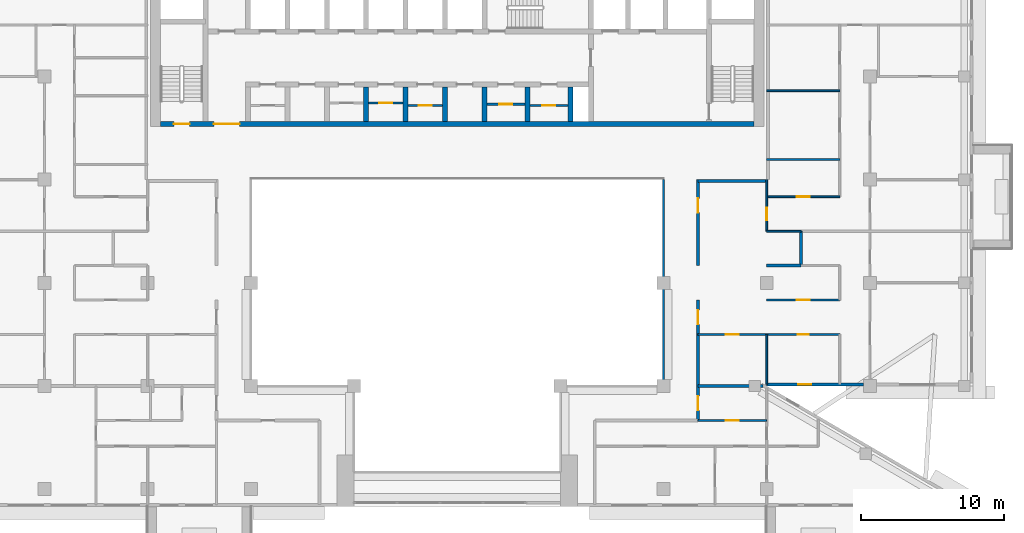
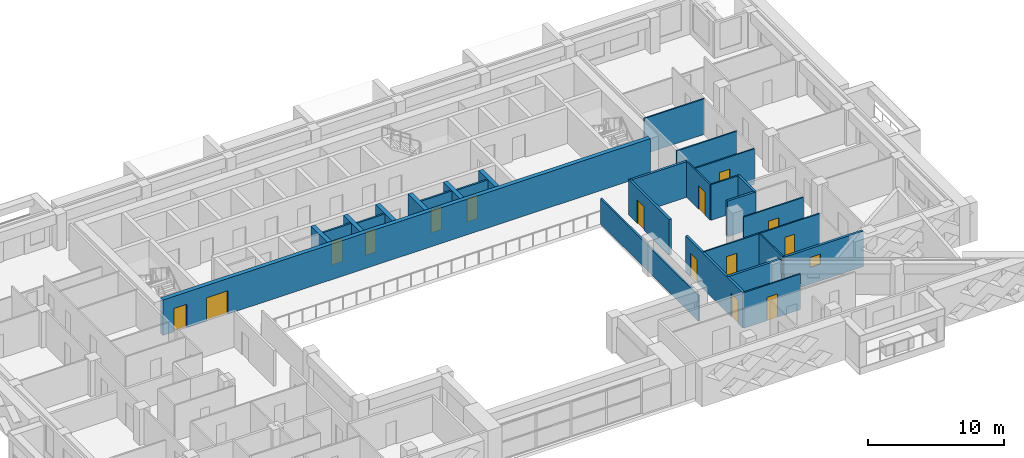
# One storey, part 9 of 20: 28 walls, 15 doors, 1 window, 16 openings.
"""IFC4 building model written with IfcOpenShell, lengths in metres."""

import ifcopenshell
import ifcopenshell.guid

model = None  # the IFC model being written
_history = None  # IfcOwnerHistory: only IFC2X3 demands one
_inside = {}  # id of a spatial element -> (the spatial element, [elements in it])
_under = {}  # id of a project, library or spatial element -> (it, [spatial elements below it])
_declared = {}  # id of a project -> (the project, [libraries it declares])
_typed = {}  # id of a type object -> (the type object, [elements of that type])
_made_of = {}  # id of a material, layer set ... -> (it, [elements and type objects made of it])


def new_model(schema):
    """Start an empty IFC model of exactly this schema.

    Asked for "IFC4X3", IfcOpenShell would pick the latest addendum, in which some entities
    have other attributes; the version numbers below select the first issue.
    IFC2X3 requires an IfcOwnerHistory on every rooted entity: one is made here for all.
    """
    global model, _history
    if schema == "IFC4X3":
        model = ifcopenshell.file(schema_version=(4, 3, 0, 0))
    else:
        model = ifcopenshell.file(schema=schema)
    _inside.clear()
    _under.clear()
    _declared.clear()
    _typed.clear()
    _made_of.clear()
    _history = None
    if model.schema == "IFC2X3":
        org = make("IfcOrganization", Name="unknown")
        user = make(
            "IfcPersonAndOrganization",
            ThePerson=make("IfcPerson", FamilyName="unknown"),
            TheOrganization=org,
        )
        app = make(
            "IfcApplication",
            ApplicationDeveloper=org,
            Version="unknown",
            ApplicationFullName="unknown",
            ApplicationIdentifier="unknown",
        )
        _history = make(
            "IfcOwnerHistory",
            OwningUser=user,
            OwningApplication=app,
            ChangeAction="ADDED",
            CreationDate=0,
        )
    return model


def make(cls, **values):
    """One entity of the class cls with the attributes given. An attribute that is None is left unset."""
    return model.create_entity(
        cls, **{name: value for name, value in values.items() if value is not None}
    )


def rooted(cls, **values):
    """An entity with a GlobalId (a new one), such as an element, a storey or a relation."""
    return make(cls, GlobalId=ifcopenshell.guid.new(), OwnerHistory=_history, **values)


def si_unit(unit_type, name, prefix=None):
    """IfcSIUnit, for example si_unit("LENGTHUNIT", "METRE", prefix="MILLI")."""
    return make("IfcSIUnit", UnitType=unit_type, Prefix=prefix, Name=name)


def assignment(units):
    """IfcUnitAssignment: the units of a project."""
    return None if units is None else make("IfcUnitAssignment", Units=units)


def point(xyz):
    """IfcCartesianPoint."""
    return None if xyz is None else make("IfcCartesianPoint", Coordinates=xyz)


def direction(xyz):
    """IfcDirection."""
    return None if xyz is None else make("IfcDirection", DirectionRatios=xyz)


def frame(location, z_axis=None, x_axis=None):
    """IfcAxis2Placement3D, a coordinate frame: its origin and axes. An axis left out is left unset."""
    return make(
        "IfcAxis2Placement3D",
        Location=point(location),
        Axis=direction(z_axis),
        RefDirection=direction(x_axis),
    )


def frame_2d(location, x_axis=None):
    """IfcAxis2Placement2D, a coordinate frame in the plane: its origin and x axis."""
    return make(
        "IfcAxis2Placement2D", Location=point(location), RefDirection=direction(x_axis)
    )


def origin():
    """The frame at (0, 0, 0) with its axes left unset."""
    return frame((0.0, 0.0, 0.0))


def place(relative_to, where):
    """IfcLocalPlacement: puts the frame where relative to a parent placement (None: the world)."""
    return make(
        "IfcLocalPlacement", PlacementRelTo=relative_to, RelativePlacement=where
    )


def context(
    kind, dimensions, precision=None, world=None, true_north=None, identifier=None
):
    """IfcGeometricRepresentationContext, for example the 3D "Model" context."""
    return make(
        "IfcGeometricRepresentationContext",
        ContextIdentifier=identifier,
        ContextType=kind,
        CoordinateSpaceDimension=dimensions,
        Precision=precision,
        WorldCoordinateSystem=world,
        TrueNorth=true_north,
    )


def subcontext(parent, identifier, kind, view, scale=None):
    """IfcGeometricRepresentationSubContext, for example "Body" below "Model"."""
    return make(
        "IfcGeometricRepresentationSubContext",
        ContextIdentifier=identifier,
        ContextType=kind,
        ParentContext=parent,
        TargetScale=scale,
        TargetView=view,
    )


def project(units=None, contexts=None):
    """IfcProject with its units and contexts."""
    return rooted(
        "IfcProject",
        Name="project",
        RepresentationContexts=contexts,
        UnitsInContext=assignment(units),
    )


def spatial(cls, under=None, at=None, **own):
    """A site, building, storey or space (cls), placed at a placement, below another one or the project."""
    s = rooted(cls, ObjectPlacement=at, **own)
    if under is not None:
        _under.setdefault(under.id(), (under, []))[1].append(s)
    return s


def profile(cls, at=None, kind="AREA", **sizes):
    """A parametric profile (cls). Its sizes go by their IFC names, for example OverallWidth=200.0."""
    return make(cls, ProfileType=kind, Position=at, **sizes)


def rectangle(**sizes):
    """IfcRectangleProfileDef."""
    return profile("IfcRectangleProfileDef", **sizes)


def extrude(swept, where, along, depth):
    """IfcExtrudedAreaSolid: the profile swept, set in the frame where, extruded along a direction by depth."""
    return make(
        "IfcExtrudedAreaSolid",
        SweptArea=swept,
        Position=where,
        ExtrudedDirection=direction(along),
        Depth=depth,
    )


def shape(context_of_items, identifier, shape_type, items):
    """IfcShapeRepresentation: the items that make up one representation, for example the "Body"."""
    return make(
        "IfcShapeRepresentation",
        ContextOfItems=context_of_items,
        RepresentationIdentifier=identifier,
        RepresentationType=shape_type,
        Items=items,
    )


def material(Name=None, Category=None):
    """IfcMaterial."""
    return make("IfcMaterial", Name=Name, Category=Category)


def layer(
    of_material, thickness, ventilated=None, Name=None, Category=None, Priority=None
):
    """IfcMaterialLayer: one layer of a wall or slab, of a material (None: an air gap)."""
    return make(
        "IfcMaterialLayer",
        Material=of_material,
        LayerThickness=thickness,
        IsVentilated=ventilated,
        Name=Name,
        Category=Category,
        Priority=Priority,
    )


def layer_set(layers, Name=None):
    """IfcMaterialLayerSet."""
    return make("IfcMaterialLayerSet", MaterialLayers=layers, LayerSetName=Name)


def made_of(thing, what):
    """Note that an element or type object is made of a material, layer set ...; save() writes the relation."""
    if what is not None:
        _made_of.setdefault(what.id(), (what, []))[1].append(thing)
    return thing


def type_object(cls, material=None, **own):
    """A type object (cls), such as IfcWallType, which elements share."""
    return made_of(rooted(cls, **own), material)


def element(
    cls,
    number,
    at=None,
    inside=None,
    cuts=None,
    type_object=None,
    material=None,
    context=None,
    identifier="Body",
    shape_type=None,
    held_by="IfcProductDefinitionShape",
    body=None,
    shapes=None,
    **own,
):
    """One element of the class cls, such as IfcWall. Its Tag is "e" and its number.

    at: its placement. inside: the storey or other place that contains it. cuts: it is an
    opening in that element (IfcRelVoidsElement). A single representation is given by context,
    identifier, shape_type and body (its items); several are given by shapes. held_by: the class
    of the entity that holds the representations. save() writes the other relations.
    """
    e = rooted(cls, Tag="e%d" % number, ObjectPlacement=at, **own)
    if body is not None:
        shapes = [shape(context, identifier, shape_type, body)]
    if shapes is not None:
        e.Representation = make(held_by, Representations=shapes)
    if inside is not None:
        _inside.setdefault(inside.id(), (inside, []))[1].append(e)
    if cuts is not None:
        rooted(
            "IfcRelVoidsElement", RelatingBuildingElement=cuts, RelatedOpeningElement=e
        )
    if type_object is not None:
        _typed.setdefault(type_object.id(), (type_object, []))[1].append(e)
    return made_of(e, material)


def fill(opening, filler):
    """IfcRelFillsElement: the door or window that sits in an opening."""
    return rooted(
        "IfcRelFillsElement",
        RelatingOpeningElement=opening,
        RelatedBuildingElement=filler,
    )


def aggregate(whole, parts):
    """IfcRelAggregates: a whole, such as a stair, and the parts it consists of."""
    return rooted("IfcRelAggregates", RelatingObject=whole, RelatedObjects=parts)


def save(model, path):
    """Write the relations noted so far, then the file.

    IfcRelAggregates (storeys below a building ...), IfcRelContainedInSpatialStructure (elements
    in a storey), IfcRelDefinesByType, IfcRelAssociatesMaterial and IfcRelDeclares: one each for
    every whole, place, type object, material and project.
    """
    for whole, parts in _under.values():
        aggregate(whole, parts)
    for where, things in _inside.values():
        rooted(
            "IfcRelContainedInSpatialStructure",
            RelatedElements=things,
            RelatingStructure=where,
        )
    for kind, things in _typed.values():
        rooted("IfcRelDefinesByType", RelatedObjects=things, RelatingType=kind)
    for what, things in _made_of.values():
        rooted("IfcRelAssociatesMaterial", RelatedObjects=things, RelatingMaterial=what)
    for by, libraries in _declared.values():
        rooted("IfcRelDeclares", RelatingContext=by, RelatedDefinitions=libraries)
    model.write(path)


model = new_model("IFC4")

# Units and contexts
model_context = context("Model", 3, precision=1e-05, world=origin(), true_north=direction((0.0, 1.0)))
body_context = subcontext(model_context, "Body", "Model", "MODEL_VIEW")
ifc_project = project(units=[si_unit("LENGTHUNIT", "METRE"), si_unit("AREAUNIT", "SQUARE_METRE"), si_unit("VOLUMEUNIT", "CUBIC_METRE"), si_unit("PLANEANGLEUNIT", "RADIAN"), si_unit("MASSUNIT", "GRAM", prefix="KILO")], contexts=[model_context])

# Site, building, storey
site_placement = place(None, origin())
site = spatial("IfcSite", under=ifc_project, at=site_placement, CompositionType="ELEMENT")
building_placement = place(site_placement, origin())
building = spatial("IfcBuilding", under=site, at=building_placement, Name="Saffron Iwan Residences", CompositionType="ELEMENT")
storey_placement = place(building_placement, frame((0.0, 0.0, 178.0)))
storey = spatial("IfcBuildingStorey", under=building, at=storey_placement, Name="L47", CompositionType="ELEMENT", Elevation=178.0)

# Wall
ifc_material_1 = material(Name="Fire-rated glazing", Category="glass")
ifc_layer_1 = layer(ifc_material_1, 0.14990234375)
ifc_layer_set_1 = layer_set([ifc_layer_1], Name="Fire-rated glazing")
wall_type_1 = type_object("IfcWallType", Name="Atrium glazed screen 150", PredefinedType="SOLIDWALL", material=ifc_layer_set_1)
wall_1_placement = place(storey_placement, frame((64.800048828125, 48.0, 0.0), z_axis=(0.0, 0.0, 1.0), x_axis=(0.0, 1.0, 0.0)))
element("IfcWall", 1, at=wall_1_placement, inside=storey, type_object=wall_type_1, Name="W-L47-SCREEN-v64.8-48", PredefinedType="SOLIDWALL", context=body_context, shape_type="SweptSolid", body=[
    extrude(rectangle(XDim=14.39990234375, YDim=0.14990234375, at=frame_2d((7.199951171875, 0.0))), origin(), (0.0, 0.0, 1.0), 2.300048828125),
])

# Wall, opening, door
ifc_material_2 = material(Name="Fire-rated plasterboard partition")
ifc_layer_2 = layer(ifc_material_2, 0.14990234375)
ifc_layer_set_2 = layer_set([ifc_layer_2], Name="Fire-rated plasterboard partition")
wall_type_2 = type_object("IfcWallType", Name="Core partition 150", PredefinedType="PARTITIONING", material=ifc_layer_set_2)
wall_2_placement = place(storey_placement, frame((44.22509765625, 67.759521484375, 0.0), z_axis=(0.0, 0.0, 1.0), x_axis=(1.0, 0.0, 0.0)))
wall_2 = element("IfcWall", 2, at=wall_2_placement, inside=storey, type_object=wall_type_2, Name="Core partition P03", PredefinedType="PARTITIONING", context=body_context, shape_type="SweptSolid", body=[
    extrude(rectangle(XDim=2.39990234375, YDim=0.14990234375, at=frame_2d((1.199951171875, 0.0))), origin(), (0.0, 0.0, 1.0), 3.199951171875),
])
opening_1_placement = place(wall_2_placement, frame((0.75, 0.0, 0.0)))
opening_1 = element("IfcOpeningElement", 3, at=opening_1_placement, cuts=wall_2, Name="Opening SB", PredefinedType="OPENING", context=body_context, shape_type="SweptSolid", body=[
    extrude(rectangle(XDim=0.89990234375, YDim=2.10009765625, at=frame_2d((0.449951171875, 1.050048828125))), frame((0.0, 0.0849609375, 0.0), z_axis=(0.0, -1.0, 0.0), x_axis=(1.0, 0.0, 0.0)), (0.0, 0.0, 1.0), 0.169921875),
])
ifc_material_3 = material(Name="Steel fire door", Category="steel")
door_type_1 = type_object("IfcDoorType", Name="Store door 900", OperationType="NOTDEFINED", PredefinedType="DOOR", material=ifc_material_3)
door_1_placement = place(opening_1_placement, origin())
door_1 = element("IfcDoor", 4, at=door_1_placement, inside=storey, type_object=door_type_1, Name="Door Battery room", OperationType="SINGLE_SWING_RIGHT", OverallHeight=2.10009765625, OverallWidth=0.89990234375, PredefinedType="DOOR", context=body_context, shape_type="SweptSolid", body=[
    extrude(rectangle(XDim=0.89990234375, YDim=2.10009765625, at=frame_2d((0.449951171875, 1.050048828125))), frame((0.0, 0.02490234375, 0.0), z_axis=(0.0, -1.0, 0.0), x_axis=(1.0, 0.0, 0.0)), (0.0, 0.0, 1.0), 0.050048828125),
])
fill(opening_1, door_1)

wall_3_placement = place(storey_placement, frame((46.97509765625, 67.5654296875, 0.0), z_axis=(0.0, 0.0, 1.0), x_axis=(1.0, 0.0, 0.0)))
wall_3 = element("IfcWall", 5, at=wall_3_placement, inside=storey, type_object=wall_type_2, Name="Core partition P04", PredefinedType="PARTITIONING", context=body_context, shape_type="SweptSolid", body=[
    extrude(rectangle(XDim=2.39990234375, YDim=0.14990234375, at=frame_2d((1.199951171875, 0.0))), origin(), (0.0, 0.0, 1.0), 3.199951171875),
])
opening_2_placement = place(wall_3_placement, frame((0.75, 0.0, 0.0)))
opening_2 = element("IfcOpeningElement", 6, at=opening_2_placement, cuts=wall_3, Name="Opening SB", PredefinedType="OPENING", context=body_context, shape_type="SweptSolid", body=[
    extrude(rectangle(XDim=0.89990234375, YDim=2.10009765625, at=frame_2d((0.449951171875, 1.050048828125))), frame((0.0, 0.0849609375, 0.0), z_axis=(0.0, -1.0, 0.0), x_axis=(1.0, 0.0, 0.0)), (0.0, 0.0, 1.0), 0.169921875),
])
door_2_placement = place(opening_2_placement, origin())
door_2 = element("IfcDoor", 7, at=door_2_placement, inside=storey, type_object=door_type_1, Name="Door Records store", OperationType="SINGLE_SWING_RIGHT", OverallHeight=2.10009765625, OverallWidth=0.89990234375, PredefinedType="DOOR", context=body_context, shape_type="SweptSolid", body=[
    extrude(rectangle(XDim=0.89990234375, YDim=2.10009765625, at=frame_2d((0.449951171875, 1.050048828125))), frame((0.0, 0.02490234375, 0.0), z_axis=(0.0, -1.0, 0.0), x_axis=(1.0, 0.0, 0.0)), (0.0, 0.0, 1.0), 0.050048828125),
])
fill(opening_2, door_2)

wall_4_placement = place(storey_placement, frame((52.47509765625, 67.66259765625, 0.0), z_axis=(0.0, 0.0, 1.0), x_axis=(1.0, 0.0, 0.0)))
wall_4 = element("IfcWall", 8, at=wall_4_placement, inside=storey, type_object=wall_type_2, Name="Core partition P05", PredefinedType="PARTITIONING", context=body_context, shape_type="SweptSolid", body=[
    extrude(rectangle(XDim=2.64990234375, YDim=0.14990234375, at=frame_2d((1.324951171875, 0.0))), origin(), (0.0, 0.0, 1.0), 3.199951171875),
])
opening_3_placement = place(wall_4_placement, frame((0.875, 0.0, 0.0)))
opening_3 = element("IfcOpeningElement", 9, at=opening_3_placement, cuts=wall_4, Name="Opening SB", PredefinedType="OPENING", context=body_context, shape_type="SweptSolid", body=[
    extrude(rectangle(XDim=0.89990234375, YDim=2.10009765625, at=frame_2d((0.449951171875, 1.050048828125))), frame((0.0, 0.0849609375, 0.0), z_axis=(0.0, -1.0, 0.0), x_axis=(1.0, 0.0, 0.0)), (0.0, 0.0, 1.0), 0.169921875),
])
door_3_placement = place(opening_3_placement, origin())
door_3 = element("IfcDoor", 10, at=door_3_placement, inside=storey, type_object=door_type_1, Name="Door Mop store", OperationType="SINGLE_SWING_LEFT", OverallHeight=2.10009765625, OverallWidth=0.89990234375, PredefinedType="DOOR", context=body_context, shape_type="SweptSolid", body=[
    extrude(rectangle(XDim=0.89990234375, YDim=2.10009765625, at=frame_2d((0.449951171875, 1.050048828125))), frame((0.0, 0.02490234375, 0.0), z_axis=(0.0, -1.0, 0.0), x_axis=(1.0, 0.0, 0.0)), (0.0, 0.0, 1.0), 0.050048828125),
])
fill(opening_3, door_3)

wall_5_placement = place(storey_placement, frame((55.47509765625, 67.5654296875, 0.0), z_axis=(0.0, 0.0, 1.0), x_axis=(1.0, 0.0, 0.0)))
wall_5 = element("IfcWall", 11, at=wall_5_placement, inside=storey, type_object=wall_type_2, Name="Core partition P06", PredefinedType="PARTITIONING", context=body_context, shape_type="SweptSolid", body=[
    extrude(rectangle(XDim=2.64990234375, YDim=0.14990234375, at=frame_2d((1.324951171875, 0.0))), origin(), (0.0, 0.0, 1.0), 3.199951171875),
])
opening_4_placement = place(wall_5_placement, frame((0.875, 0.0, 0.0)))
opening_4 = element("IfcOpeningElement", 12, at=opening_4_placement, cuts=wall_5, Name="Opening SB", PredefinedType="OPENING", context=body_context, shape_type="SweptSolid", body=[
    extrude(rectangle(XDim=0.89990234375, YDim=2.10009765625, at=frame_2d((0.449951171875, 1.050048828125))), frame((0.0, 0.0849609375, 0.0), z_axis=(0.0, -1.0, 0.0), x_axis=(1.0, 0.0, 0.0)), (0.0, 0.0, 1.0), 0.169921875),
])
door_4_placement = place(opening_4_placement, origin())
door_4 = element("IfcDoor", 13, at=door_4_placement, inside=storey, type_object=door_type_1, Name="Door Spares store", OperationType="SINGLE_SWING_RIGHT", OverallHeight=2.10009765625, OverallWidth=0.89990234375, PredefinedType="DOOR", context=body_context, shape_type="SweptSolid", body=[
    extrude(rectangle(XDim=0.89990234375, YDim=2.10009765625, at=frame_2d((0.449951171875, 1.050048828125))), frame((0.0, 0.02490234375, 0.0), z_axis=(0.0, -1.0, 0.0), x_axis=(1.0, 0.0, 0.0)), (0.0, 0.0, 1.0), 0.050048828125),
])
fill(opening_4, door_4)

# Wall, opening, window
ifc_material_4 = material(Name="Concrete C40/50", Category="concrete")
ifc_layer_3 = layer(ifc_material_4, 0.199951171875)
ifc_layer_set_3 = layer_set([ifc_layer_3], Name="Concrete C40/50")
wall_type_3 = type_object("IfcWallType", Name="EXTERNAL WALL 200", PredefinedType="SOLIDWALL", material=ifc_layer_set_3)
wall_6_placement = place(storey_placement, frame((71.989990234375, 48.10009765625, 0.0), z_axis=(0.0, 0.0, 1.0), x_axis=(1.0, 0.0, 0.0)))
wall_6 = element("IfcWall", 14, at=wall_6_placement, inside=storey, type_object=wall_type_3, Name="External wall L47 F1.0", PredefinedType="SOLIDWALL", context=body_context, shape_type="SweptSolid", body=[
    extrude(rectangle(XDim=6.760009765625, YDim=0.199951171875, at=frame_2d((3.3798828125, 0.0))), origin(), (0.0, 0.0, 1.0), 3.199951171875),
])
opening_5_placement = place(wall_6_placement, frame((2.204833984375, 0.0, 1.5)))
opening_5 = element("IfcOpeningElement", 15, at=opening_5_placement, cuts=wall_6, Name="Opening W6", PredefinedType="OPENING", context=body_context, shape_type="SweptSolid", body=[
    extrude(rectangle(XDim=0.89990234375, YDim=0.89990234375, at=frame_2d((0.449951171875, 0.449951171875))), frame((0.0, 0.10986328125, 0.0), z_axis=(0.0, -1.0, 0.0), x_axis=(1.0, 0.0, 0.0)), (0.0, 0.0, 1.0), 0.219970703125),
])
ifc_material_5 = material(Name="Clear glass, laminated double glazed", Category="glass")
window_type = type_object("IfcWindowType", Name="WINDOW 900 x 900 BATH", PartitioningType="SINGLE_PANEL", PredefinedType="WINDOW", material=ifc_material_5)
window_placement = place(opening_5_placement, origin())
window = element("IfcWindow", 16, at=window_placement, inside=storey, type_object=window_type, Name="Window L47 F1.0", OverallHeight=0.89990234375, OverallWidth=0.89990234375, PartitioningType="SINGLE_PANEL", PredefinedType="WINDOW", context=body_context, shape_type="SweptSolid", body=[
    extrude(rectangle(XDim=0.89990234375, YDim=0.89990234375, at=frame_2d((0.449951171875, 0.449951171875))), frame((0.0, 0.030029296875, 0.0), z_axis=(0.0, -1.0, 0.0), x_axis=(1.0, 0.0, 0.0)), (0.0, 0.0, 1.0), 0.06005859375),
])
fill(opening_5, window)

# Walls
ifc_material_6 = material(Name="Fire-rated gypsum board wall")
ifc_layer_4 = layer(ifc_material_6, 0.199951171875)
ifc_layer_set_4 = layer_set([ifc_layer_4], Name="Fire-rated gypsum board wall")
wall_type_4 = type_object("IfcWallType", Name="Flat demising wall 200", PredefinedType="SOLIDWALL", material=ifc_layer_set_4)
wall_7_placement = place(storey_placement, frame((67.199951171875, 48.0, 0.0), z_axis=(0.0, 0.0, 1.0), x_axis=(1.0, 0.0, 0.0)))
element("IfcWall", 17, at=wall_7_placement, inside=storey, type_object=wall_type_4, Name="W-L47-DEMISE-h48-67.2", PredefinedType="SOLIDWALL", context=body_context, shape_type="SweptSolid", body=[
    extrude(rectangle(XDim=4.552001953125, YDim=0.199951171875, at=frame_2d((2.27587890625, 0.0))), origin(), (0.0, 0.0, 1.0), 3.199951171875),
])
wall_8_placement = place(storey_placement, frame((72.0, 56.39990234375, 0.0), z_axis=(0.0, 0.0, 1.0), x_axis=(1.0, 0.0, 0.0)))
element("IfcWall", 18, at=wall_8_placement, inside=storey, type_object=wall_type_4, Name="W-L47-DEMISE-h56.4-72", PredefinedType="SOLIDWALL", context=body_context, shape_type="SweptSolid", body=[
    extrude(rectangle(XDim=2.39990234375, YDim=0.199951171875, at=frame_2d((1.199951171875, 0.0))), origin(), (0.0, 0.0, 1.0), 3.199951171875),
])
wall_9_placement = place(storey_placement, frame((74.39990234375, 56.39990234375, 0.0), z_axis=(0.0, 0.0, 1.0), x_axis=(0.0, 1.0, 0.0)))
element("IfcWall", 19, at=wall_9_placement, inside=storey, type_object=wall_type_4, Name="W-L47-DEMISE-v74.4-56.4", PredefinedType="SOLIDWALL", context=body_context, shape_type="SweptSolid", body=[
    extrude(rectangle(XDim=2.400146484375, YDim=0.199951171875, at=frame_2d((1.2001953125, 0.0))), origin(), (0.0, 0.0, 1.0), 3.199951171875),
])

# Wall, opening, door
ifc_material_7 = material(Name="Gypsum board partition")
ifc_layer_5 = layer(ifc_material_7, 0.1201171875)
ifc_layer_set_5 = layer_set([ifc_layer_5], Name="Gypsum board partition")
wall_type_5 = type_object("IfcWallType", Name="Flat partition 120", PredefinedType="PARTITIONING", material=ifc_layer_set_5)
wall_10_placement = place(storey_placement, frame((67.199951171875, 45.60009765625, 0.0), z_axis=(0.0, 0.0, 1.0), x_axis=(1.0, 0.0, 0.0)))
wall_10 = element("IfcWall", 20, at=wall_10_placement, inside=storey, type_object=wall_type_5, Name="W-L47-PART-h45.6-67.2", PredefinedType="PARTITIONING", context=body_context, shape_type="SweptSolid", body=[
    extrude(rectangle(XDim=4.800048828125, YDim=0.1201171875, at=frame_2d((2.39990234375, 0.0))), origin(), (0.0, 0.0, 1.0), 3.199951171875),
])
opening_6_placement = place(wall_10_placement, frame((1.949951171875, 0.0, 0.0)))
opening_6 = element("IfcOpeningElement", 21, at=opening_6_placement, cuts=wall_10, Name="Opening FD2", PredefinedType="OPENING", context=body_context, shape_type="SweptSolid", body=[
    extrude(rectangle(XDim=0.89990234375, YDim=2.10009765625, at=frame_2d((0.449951171875, 1.050048828125))), frame((0.0, 0.070068359375, 0.0), z_axis=(0.0, -1.0, 0.0), x_axis=(1.0, 0.0, 0.0)), (0.0, 0.0, 1.0), 0.14013671875),
])
ifc_material_8 = material(Name="Timber door", Category="wood")
door_type_2 = type_object("IfcDoorType", Name="Flat door 900", OperationType="NOTDEFINED", PredefinedType="DOOR", material=ifc_material_8)
door_5_placement = place(opening_6_placement, origin())
door_5 = element("IfcDoor", 22, at=door_5_placement, inside=storey, type_object=door_type_2, Name="Door L47-040", OperationType="SINGLE_SWING_LEFT", OverallHeight=2.10009765625, OverallWidth=0.89990234375, PredefinedType="DOOR", context=body_context, shape_type="SweptSolid", body=[
    extrude(rectangle(XDim=0.89990234375, YDim=2.10009765625, at=frame_2d((0.449951171875, 1.050048828125))), frame((0.0, 0.02490234375, 0.0), z_axis=(0.0, -1.0, 0.0), x_axis=(1.0, 0.0, 0.0)), (0.0, 0.0, 1.0), 0.050048828125),
])
fill(opening_6, door_5)

# Wall, openings, doors
wall_11_placement = place(storey_placement, frame((67.199951171875, 51.60009765625, 0.0), z_axis=(0.0, 0.0, 1.0), x_axis=(1.0, 0.0, 0.0)))
wall_11 = element("IfcWall", 23, at=wall_11_placement, inside=storey, type_object=wall_type_5, Name="W-L47-PART-h51.6-67.2", PredefinedType="PARTITIONING", context=body_context, shape_type="SweptSolid", body=[
    extrude(rectangle(XDim=9.900146484375, YDim=0.1201171875, at=frame_2d((4.9501953125, 0.0))), origin(), (0.0, 0.0, 1.0), 3.199951171875),
])
opening_7_placement = place(wall_11_placement, frame((6.949951171875, 0.0, 0.0)))
opening_7 = element("IfcOpeningElement", 24, at=opening_7_placement, cuts=wall_11, Name="Opening FD3", PredefinedType="OPENING", context=body_context, shape_type="SweptSolid", body=[
    extrude(rectangle(XDim=0.800048828125, YDim=2.10009765625, at=frame_2d((0.39990234375, 1.050048828125))), frame((0.0, 0.070068359375, 0.0), z_axis=(0.0, -1.0, 0.0), x_axis=(1.0, 0.0, 0.0)), (0.0, 0.0, 1.0), 0.14013671875),
])
opening_8_placement = place(wall_11_placement, frame((1.949951171875, 0.0, 0.0)))
opening_8 = element("IfcOpeningElement", 25, at=opening_8_placement, cuts=wall_11, Name="Opening FD2", PredefinedType="OPENING", context=body_context, shape_type="SweptSolid", body=[
    extrude(rectangle(XDim=0.89990234375, YDim=2.10009765625, at=frame_2d((0.449951171875, 1.050048828125))), frame((0.0, 0.070068359375, 0.0), z_axis=(0.0, -1.0, 0.0), x_axis=(1.0, 0.0, 0.0)), (0.0, 0.0, 1.0), 0.14013671875),
])
door_type_3 = type_object("IfcDoorType", Name="Bathroom door 800", OperationType="NOTDEFINED", PredefinedType="DOOR", material=ifc_material_8)
door_6_placement = place(opening_7_placement, origin())
door_6 = element("IfcDoor", 26, at=door_6_placement, inside=storey, type_object=door_type_3, Name="Door L47-017", OperationType="SINGLE_SWING_RIGHT", OverallHeight=2.10009765625, OverallWidth=0.800048828125, PredefinedType="DOOR", context=body_context, shape_type="SweptSolid", body=[
    extrude(rectangle(XDim=0.800048828125, YDim=2.10009765625, at=frame_2d((0.39990234375, 1.050048828125))), frame((0.0, 0.02490234375, 0.0), z_axis=(0.0, -1.0, 0.0), x_axis=(1.0, 0.0, 0.0)), (0.0, 0.0, 1.0), 0.050048828125),
])
fill(opening_7, door_6)
door_7_placement = place(opening_8_placement, origin())
door_7 = element("IfcDoor", 27, at=door_7_placement, inside=storey, type_object=door_type_2, Name="Door L47-019", OperationType="SINGLE_SWING_LEFT", OverallHeight=2.10009765625, OverallWidth=0.89990234375, PredefinedType="DOOR", context=body_context, shape_type="SweptSolid", body=[
    extrude(rectangle(XDim=0.89990234375, YDim=2.10009765625, at=frame_2d((0.449951171875, 1.050048828125))), frame((0.0, 0.02490234375, 0.0), z_axis=(0.0, -1.0, 0.0), x_axis=(1.0, 0.0, 0.0)), (0.0, 0.0, 1.0), 0.050048828125),
])
fill(opening_8, door_7)

# Wall, opening, door
wall_12_placement = place(storey_placement, frame((72.0, 54.0, 0.0), z_axis=(0.0, 0.0, 1.0), x_axis=(1.0, 0.0, 0.0)))
wall_12 = element("IfcWall", 28, at=wall_12_placement, inside=storey, type_object=wall_type_5, Name="W-L47-PART-h54-72", PredefinedType="PARTITIONING", context=body_context, shape_type="SweptSolid", body=[
    extrude(rectangle(XDim=5.10009765625, YDim=0.1201171875, at=frame_2d((2.550048828125, 0.0))), origin(), (0.0, 0.0, 1.0), 3.199951171875),
])
opening_9_placement = place(wall_12_placement, frame((2.10009765625, 0.0, 0.0)))
opening_9 = element("IfcOpeningElement", 29, at=opening_9_placement, cuts=wall_12, Name="Opening FD2", PredefinedType="OPENING", context=body_context, shape_type="SweptSolid", body=[
    extrude(rectangle(XDim=0.89990234375, YDim=2.10009765625, at=frame_2d((0.449951171875, 1.050048828125))), frame((0.0, 0.070068359375, 0.0), z_axis=(0.0, -1.0, 0.0), x_axis=(1.0, 0.0, 0.0)), (0.0, 0.0, 1.0), 0.14013671875),
])
door_8_placement = place(opening_9_placement, origin())
door_8 = element("IfcDoor", 30, at=door_8_placement, inside=storey, type_object=door_type_2, Name="Door L47-018", OperationType="SINGLE_SWING_LEFT", OverallHeight=2.10009765625, OverallWidth=0.89990234375, PredefinedType="DOOR", context=body_context, shape_type="SweptSolid", body=[
    extrude(rectangle(XDim=0.89990234375, YDim=2.10009765625, at=frame_2d((0.449951171875, 1.050048828125))), frame((0.0, 0.02490234375, 0.0), z_axis=(0.0, -1.0, 0.0), x_axis=(1.0, 0.0, 0.0)), (0.0, 0.0, 1.0), 0.050048828125),
])
fill(opening_9, door_8)

# Wall
wall_13_placement = place(storey_placement, frame((72.0, 58.800048828125, 0.0), z_axis=(0.0, 0.0, 1.0), x_axis=(1.0, 0.0, 0.0)))
element("IfcWall", 31, at=wall_13_placement, inside=storey, type_object=wall_type_5, Name="W-L47-PART-h58.8-72", PredefinedType="PARTITIONING", context=body_context, shape_type="SweptSolid", body=[
    extrude(rectangle(XDim=2.39990234375, YDim=0.1201171875, at=frame_2d((1.199951171875, 0.0))), origin(), (0.0, 0.0, 1.0), 3.199951171875),
])

# Wall, opening, door
wall_14_placement = place(storey_placement, frame((72.0, 61.199951171875, 0.0), z_axis=(0.0, 0.0, 1.0), x_axis=(1.0, 0.0, 0.0)))
wall_14 = element("IfcWall", 32, at=wall_14_placement, inside=storey, type_object=wall_type_5, Name="W-L47-PART-h61.2-72", PredefinedType="PARTITIONING", context=body_context, shape_type="SweptSolid", body=[
    extrude(rectangle(XDim=5.10009765625, YDim=0.1201171875, at=frame_2d((2.550048828125, 0.0))), origin(), (0.0, 0.0, 1.0), 3.199951171875),
])
opening_10_placement = place(wall_14_placement, frame((2.10009765625, 0.0, 0.0)))
opening_10 = element("IfcOpeningElement", 33, at=opening_10_placement, cuts=wall_14, Name="Opening FD2", PredefinedType="OPENING", context=body_context, shape_type="SweptSolid", body=[
    extrude(rectangle(XDim=0.89990234375, YDim=2.10009765625, at=frame_2d((0.449951171875, 1.050048828125))), frame((0.0, 0.070068359375, 0.0), z_axis=(0.0, -1.0, 0.0), x_axis=(1.0, 0.0, 0.0)), (0.0, 0.0, 1.0), 0.14013671875),
])
door_9_placement = place(opening_10_placement, origin())
door_9 = element("IfcDoor", 34, at=door_9_placement, inside=storey, type_object=door_type_2, Name="Door L47-036", OperationType="SINGLE_SWING_LEFT", OverallHeight=2.10009765625, OverallWidth=0.89990234375, PredefinedType="DOOR", context=body_context, shape_type="SweptSolid", body=[
    extrude(rectangle(XDim=0.89990234375, YDim=2.10009765625, at=frame_2d((0.449951171875, 1.050048828125))), frame((0.0, 0.02490234375, 0.0), z_axis=(0.0, -1.0, 0.0), x_axis=(1.0, 0.0, 0.0)), (0.0, 0.0, 1.0), 0.050048828125),
])
fill(opening_10, door_9)

# Walls
for number, where, z_axis, x_axis, name in (
    (35, (72.0, 63.800048828125, 0.0), (0.0, 0.0, 1.0), (1.0, 0.0, 0.0), "W-L47-PART-h63.8-72"),
    (36, (72.0, 68.60009765625, 0.0), (0.0, 0.0, 1.0), (1.0, 0.0, 0.0), "W-L47-PART-h68.6-72"),
):
    element("IfcWall", number, at=place(storey_placement, frame(where, z_axis=z_axis, x_axis=x_axis)), inside=storey, type_object=wall_type_5, Name=name, PredefinedType="PARTITIONING", context=body_context, shape_type="SweptSolid", body=[
        extrude(rectangle(XDim=5.10009765625, YDim=0.1201171875, at=frame_2d((2.550048828125, 0.0))), origin(), (0.0, 0.0, 1.0), 3.199951171875),
    ])
wall_15_placement = place(storey_placement, frame((72.0, 48.125, 0.0), z_axis=(0.0, 0.0, 1.0), x_axis=(0.0, 1.0, 0.0)))
element("IfcWall", 37, at=wall_15_placement, inside=storey, type_object=wall_type_5, Name="W-L47-PART-v72-48.125", PredefinedType="PARTITIONING", context=body_context, shape_type="SweptSolid", body=[
    extrude(rectangle(XDim=3.47509765625, YDim=0.1201171875, at=frame_2d((1.737548828125, 0.0))), origin(), (0.0, 0.0, 1.0), 3.199951171875),
])

# Wall, opening, door
wall_16_placement = place(storey_placement, frame((72.0, 58.800048828125, 0.0), z_axis=(0.0, 0.0, 1.0), x_axis=(0.0, 1.0, 0.0)))
wall_16 = element("IfcWall", 38, at=wall_16_placement, inside=storey, type_object=wall_type_5, Name="W-L47-PART-v72-58.8", PredefinedType="PARTITIONING", context=body_context, shape_type="SweptSolid", body=[
    extrude(rectangle(XDim=3.599853515625, YDim=0.1201171875, at=frame_2d((1.7998046875, 0.0))), origin(), (0.0, 0.0, 1.0), 3.199951171875),
])
opening_11_placement = place(wall_16_placement, frame((0.75, 0.0, 0.0)))
opening_11 = element("IfcOpeningElement", 39, at=opening_11_placement, cuts=wall_16, Name="Opening FD2", PredefinedType="OPENING", context=body_context, shape_type="SweptSolid", body=[
    extrude(rectangle(XDim=0.89990234375, YDim=2.10009765625, at=frame_2d((0.449951171875, 1.050048828125))), frame((0.0, 0.070068359375, 0.0), z_axis=(0.0, -1.0, 0.0), x_axis=(1.0, 0.0, 0.0)), (0.0, 0.0, 1.0), 0.14013671875),
])
door_10_placement = place(opening_11_placement, origin())
door_10 = element("IfcDoor", 40, at=door_10_placement, inside=storey, type_object=door_type_2, Name="Door L47-030", OperationType="SINGLE_SWING_LEFT", OverallHeight=2.10009765625, OverallWidth=0.89990234375, PredefinedType="DOOR", context=body_context, shape_type="SweptSolid", body=[
    extrude(rectangle(XDim=0.89990234375, YDim=2.10009765625, at=frame_2d((0.449951171875, 1.050048828125))), frame((0.0, 0.02490234375, 0.0), z_axis=(0.0, -1.0, 0.0), x_axis=(1.0, 0.0, 0.0)), (0.0, 0.0, 1.0), 0.050048828125),
])
fill(opening_11, door_10)

# Wall
ifc_layer_6 = layer(ifc_material_6, 0.199951171875)
ifc_layer_set_6 = layer_set([ifc_layer_6], Name="Fire-rated gypsum board wall")
wall_type_6 = type_object("IfcWallType", Name="Gallery wall 200", PredefinedType="SOLIDWALL", material=ifc_layer_set_6)
wall_17_placement = place(storey_placement, frame((67.199951171875, 62.300048828125, 0.0), z_axis=(0.0, 0.0, 1.0), x_axis=(1.0, 0.0, 0.0)))
element("IfcWall", 41, at=wall_17_placement, inside=storey, type_object=wall_type_6, Name="W-L47-CORR-h62.4-67.2", PredefinedType="SOLIDWALL", context=body_context, shape_type="SweptSolid", body=[
    extrude(rectangle(XDim=4.800048828125, YDim=0.199951171875, at=frame_2d((2.39990234375, 0.0))), origin(), (0.0, 0.0, 1.0), 3.199951171875),
])

# Wall, openings, doors
wall_18_placement = place(storey_placement, frame((67.199951171875, 45.60009765625, 0.0), z_axis=(0.0, 0.0, 1.0), x_axis=(0.0, 1.0, 0.0)))
wall_18 = element("IfcWall", 42, at=wall_18_placement, inside=storey, type_object=wall_type_6, Name="W-L47-CORR-v67.2-45.6", PredefinedType="SOLIDWALL", context=body_context, shape_type="SweptSolid", body=[
    extrude(rectangle(XDim=8.39990234375, YDim=0.199951171875, at=frame_2d((4.199951171875, 0.0))), origin(), (0.0, 0.0, 1.0), 3.199951171875),
])
opening_12_placement = place(wall_18_placement, frame((6.699951171875, 0.0, 0.0)))
opening_12 = element("IfcOpeningElement", 43, at=opening_12_placement, cuts=wall_18, Name="Opening FD1", PredefinedType="OPENING", context=body_context, shape_type="SweptSolid", body=[
    extrude(rectangle(XDim=1.0, YDim=2.10009765625, at=frame_2d((0.5, 1.050048828125))), frame((0.0, 0.10986328125, 0.0), z_axis=(0.0, -1.0, 0.0), x_axis=(1.0, 0.0, 0.0)), (0.0, 0.0, 1.0), 0.219970703125),
])
opening_13_placement = place(wall_18_placement, frame((0.699951171875, 0.0, 0.0)))
opening_13 = element("IfcOpeningElement", 44, at=opening_13_placement, cuts=wall_18, Name="Opening FD5", PredefinedType="OPENING", context=body_context, shape_type="SweptSolid", body=[
    extrude(rectangle(XDim=1.0, YDim=2.10009765625, at=frame_2d((0.5, 1.050048828125))), frame((0.0, 0.10986328125, 0.0), z_axis=(0.0, -1.0, 0.0), x_axis=(1.0, 0.0, 0.0)), (0.0, 0.0, 1.0), 0.219970703125),
])
ifc_material_9 = material(Name="Fire-rated timber door", Category="wood")
door_type_4 = type_object("IfcDoorType", Name="FD30S flat entrance door 1000", OperationType="NOTDEFINED", PredefinedType="DOOR", material=ifc_material_9)
door_11_placement = place(opening_12_placement, origin())
door_11 = element("IfcDoor", 45, at=door_11_placement, inside=storey, type_object=door_type_4, Name="Door L47-014", OperationType="SINGLE_SWING_RIGHT", OverallHeight=2.10009765625, OverallWidth=1.0, PredefinedType="DOOR", context=body_context, shape_type="SweptSolid", body=[
    extrude(rectangle(XDim=1.0, YDim=2.10009765625, at=frame_2d((0.5, 1.050048828125))), frame((0.0, 0.02490234375, 0.0), z_axis=(0.0, -1.0, 0.0), x_axis=(1.0, 0.0, 0.0)), (0.0, 0.0, 1.0), 0.050048828125),
])
fill(opening_12, door_11)
door_type_5 = type_object("IfcDoorType", Name="Lobby door 1000", OperationType="NOTDEFINED", PredefinedType="DOOR", material=ifc_material_9)
door_12_placement = place(opening_13_placement, origin())
door_12 = element("IfcDoor", 46, at=door_12_placement, inside=storey, type_object=door_type_5, Name="Door L47-041", OperationType="SINGLE_SWING_RIGHT", OverallHeight=2.10009765625, OverallWidth=1.0, PredefinedType="DOOR", context=body_context, shape_type="SweptSolid", body=[
    extrude(rectangle(XDim=1.0, YDim=2.10009765625, at=frame_2d((0.5, 1.050048828125))), frame((0.0, 0.02490234375, 0.0), z_axis=(0.0, -1.0, 0.0), x_axis=(1.0, 0.0, 0.0)), (0.0, 0.0, 1.0), 0.050048828125),
])
fill(opening_13, door_12)

# Wall, opening, door
wall_19_placement = place(storey_placement, frame((67.199951171875, 56.39990234375, 0.0), z_axis=(0.0, 0.0, 1.0), x_axis=(0.0, 1.0, 0.0)))
wall_19 = element("IfcWall", 47, at=wall_19_placement, inside=storey, type_object=wall_type_6, Name="W-L47-CORR-v67.2-56.4", PredefinedType="SOLIDWALL", context=body_context, shape_type="SweptSolid", body=[
    extrude(rectangle(XDim=6.0, YDim=0.199951171875, at=frame_2d((3.0, 0.0))), origin(), (0.0, 0.0, 1.0), 3.199951171875),
])
opening_14_placement = place(wall_19_placement, frame((3.699951171875, 0.0, 0.0)))
opening_14 = element("IfcOpeningElement", 48, at=opening_14_placement, cuts=wall_19, Name="Opening FD5", PredefinedType="OPENING", context=body_context, shape_type="SweptSolid", body=[
    extrude(rectangle(XDim=1.0, YDim=2.10009765625, at=frame_2d((0.5, 1.050048828125))), frame((0.0, 0.10986328125, 0.0), z_axis=(0.0, -1.0, 0.0), x_axis=(1.0, 0.0, 0.0)), (0.0, 0.0, 1.0), 0.219970703125),
])
door_13_placement = place(opening_14_placement, origin())
door_13 = element("IfcDoor", 49, at=door_13_placement, inside=storey, type_object=door_type_5, Name="Door L47-031", OperationType="SINGLE_SWING_LEFT", OverallHeight=2.10009765625, OverallWidth=1.0, PredefinedType="DOOR", context=body_context, shape_type="SweptSolid", body=[
    extrude(rectangle(XDim=1.0, YDim=2.10009765625, at=frame_2d((0.5, 1.050048828125))), frame((0.0, 0.02490234375, 0.0), z_axis=(0.0, -1.0, 0.0), x_axis=(1.0, 0.0, 0.0)), (0.0, 0.0, 1.0), 0.050048828125),
])
fill(opening_14, door_13)

# Wall, openings, doors
ifc_material_10 = material(Name="Concrete C50/60", Category="concrete")
ifc_layer_7 = layer(ifc_material_10, 0.35009765625)
ifc_layer_set_7 = layer_set([ifc_layer_7], Name="Concrete C50/60")
wall_type_7 = type_object("IfcWallType", Name="WALL CORE 350 C50/60 3200 HIGH", PredefinedType="SHEAR", material=ifc_layer_set_7)
wall_20_placement = place(storey_placement, frame((29.699951171875, 66.27490234375, 0.0), z_axis=(0.0, 0.0, 1.0), x_axis=(1.0, 0.0, 0.0)))
wall_20 = element("IfcWall", 50, at=wall_20_placement, inside=storey, type_object=wall_type_7, Name="Core wall", PredefinedType="SHEAR", context=body_context, shape_type="SweptSolid", body=[
    extrude(rectangle(XDim=41.400146484375, YDim=0.35009765625, at=frame_2d((20.7001953125, 0.0))), origin(), (0.0, 0.0, 1.0), 3.199951171875),
])
opening_15_placement = place(wall_20_placement, frame((0.925048828125, 0.0, 0.0)))
opening_15 = element("IfcOpeningElement", 51, at=opening_15_placement, cuts=wall_20, Name="Opening SD", PredefinedType="OPENING", context=body_context, shape_type="SweptSolid", body=[
    extrude(rectangle(XDim=1.10009765625, YDim=2.10009765625, at=frame_2d((0.550048828125, 1.050048828125))), frame((0.0, 0.18505859375, 0.0), z_axis=(0.0, -1.0, 0.0), x_axis=(1.0, 0.0, 0.0)), (0.0, 0.0, 1.0), 0.3701171875),
])
opening_16_placement = place(wall_20_placement, frame((3.71240234375, 0.0, 0.0)))
opening_16 = element("IfcOpeningElement", 52, at=opening_16_placement, cuts=wall_20, Name="Opening DD", PredefinedType="OPENING", context=body_context, shape_type="SweptSolid", body=[
    extrude(rectangle(XDim=1.800048828125, YDim=2.10009765625, at=frame_2d((0.89990234375, 1.050048828125))), frame((0.0, 0.18505859375, 0.0), z_axis=(0.0, -1.0, 0.0), x_axis=(1.0, 0.0, 0.0)), (0.0, 0.0, 1.0), 0.3701171875),
])
door_type_6 = type_object("IfcDoorType", Name="Lobby double door 1800", OperationType="DOUBLE_DOOR_SINGLE_SWING", PredefinedType="DOOR", material=ifc_material_3)
door_14_placement = place(opening_16_placement, origin())
door_14 = element("IfcDoor", 53, at=door_14_placement, inside=storey, type_object=door_type_6, Name="Lobby doors", OperationType="DOUBLE_DOOR_SINGLE_SWING", OverallHeight=2.10009765625, OverallWidth=1.800048828125, PredefinedType="DOOR", context=body_context, shape_type="SweptSolid", body=[
    extrude(rectangle(XDim=1.800048828125, YDim=2.10009765625, at=frame_2d((0.89990234375, 1.050048828125))), frame((0.0, 0.02490234375, 0.0), z_axis=(0.0, -1.0, 0.0), x_axis=(1.0, 0.0, 0.0)), (0.0, 0.0, 1.0), 0.050048828125),
])
fill(opening_16, door_14)
door_type_7 = type_object("IfcDoorType", Name="Stair door 1100", OperationType="NOTDEFINED", PredefinedType="DOOR", material=ifc_material_3)
door_15_placement = place(opening_15_placement, origin())
door_15 = element("IfcDoor", 54, at=door_15_placement, inside=storey, type_object=door_type_7, Name="Stair door ST-W", OperationType="SINGLE_SWING_LEFT", OverallHeight=2.10009765625, OverallWidth=1.10009765625, PredefinedType="DOOR", context=body_context, shape_type="SweptSolid", body=[
    extrude(rectangle(XDim=1.10009765625, YDim=2.10009765625, at=frame_2d((0.550048828125, 1.050048828125))), frame((0.0, 0.02490234375, 0.0), z_axis=(0.0, -1.0, 0.0), x_axis=(1.0, 0.0, 0.0)), (0.0, 0.0, 1.0), 0.050048828125),
])
fill(opening_15, door_15)

# Walls
for number, where, z_axis, x_axis, name in (
    (55, (44.050048828125, 66.449951171875, 0.0), (0.0, 0.0, 1.0), (0.0, 1.0, 0.0), "Core wall"),
    (56, (46.800048828125, 66.449951171875, 0.0), (0.0, 0.0, 1.0), (0.0, 1.0, 0.0), "Core wall"),
    (57, (49.550048828125, 66.449951171875, 0.0), (0.0, 0.0, 1.0), (0.0, 1.0, 0.0), "Core wall"),
    (58, (52.300048828125, 66.449951171875, 0.0), (0.0, 0.0, 1.0), (0.0, 1.0, 0.0), "Core wall"),
    (59, (55.300048828125, 66.449951171875, 0.0), (0.0, 0.0, 1.0), (0.0, 1.0, 0.0), "Core wall"),
    (60, (58.300048828125, 66.449951171875, 0.0), (0.0, 0.0, 1.0), (0.0, 1.0, 0.0), "Core wall"),
):
    element("IfcWall", number, at=place(storey_placement, frame(where, z_axis=z_axis, x_axis=x_axis)), inside=storey, type_object=wall_type_7, Name=name, PredefinedType="SHEAR", context=body_context, shape_type="SweptSolid", body=[
        extrude(rectangle(XDim=2.425048828125, YDim=0.35009765625, at=frame_2d((1.21240234375, 0.0))), origin(), (0.0, 0.0, 1.0), 3.199951171875),
    ])

save(model, "model.ifc")
